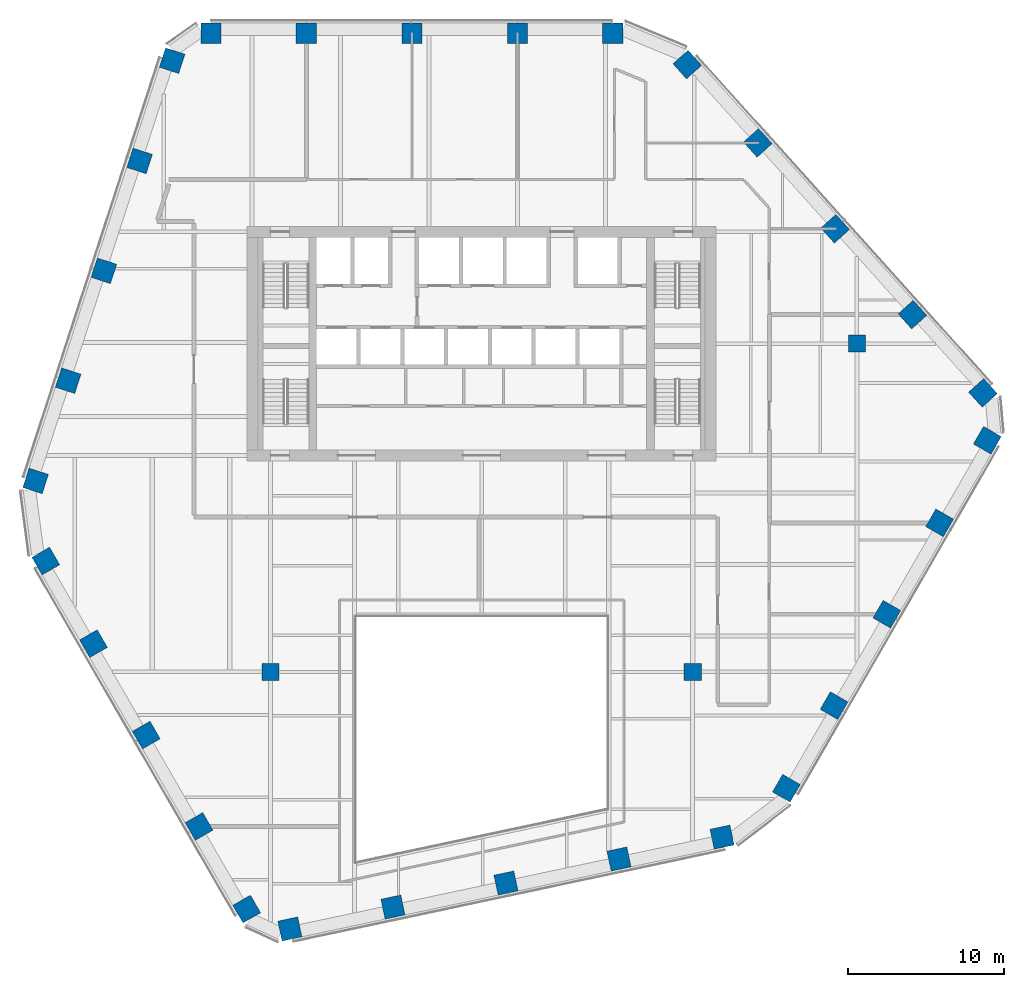
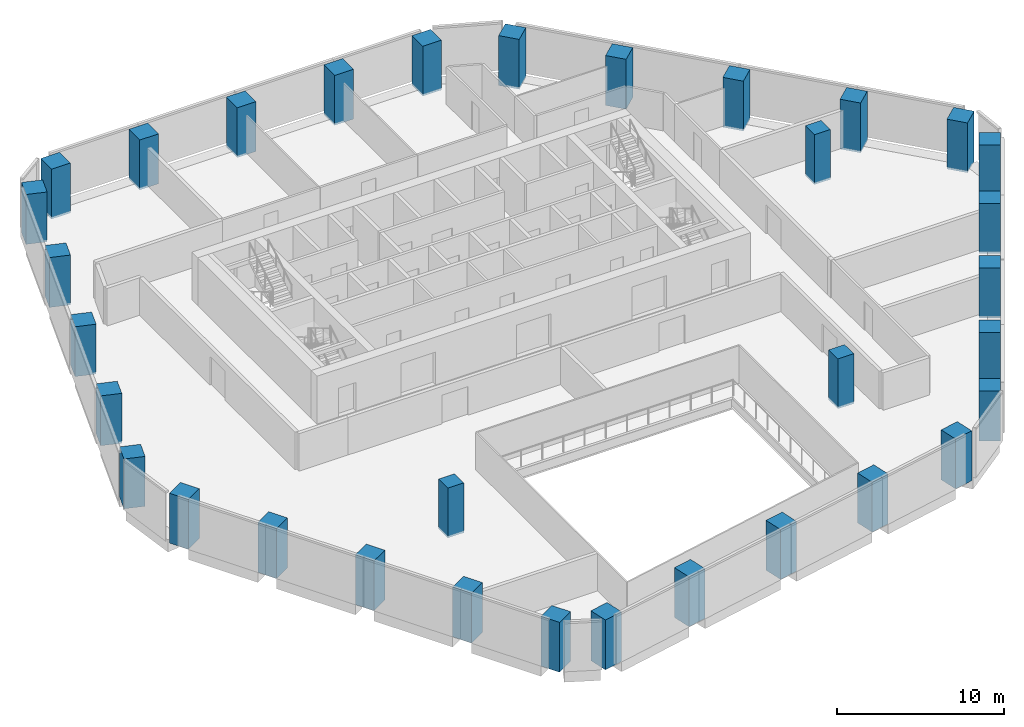
# One storey, part 1 of 16: 33 columns.
"""IFC4 building model written with IfcOpenShell, lengths in metres."""

import ifcopenshell
import ifcopenshell.guid

model = None  # the IFC model being written
_history = None  # IfcOwnerHistory: only IFC2X3 demands one
_inside = {}  # id of a spatial element -> (the spatial element, [elements in it])
_under = {}  # id of a project, library or spatial element -> (it, [spatial elements below it])
_declared = {}  # id of a project -> (the project, [libraries it declares])
_typed = {}  # id of a type object -> (the type object, [elements of that type])
_made_of = {}  # id of a material, layer set ... -> (it, [elements and type objects made of it])


def new_model(schema):
    """Start an empty IFC model of exactly this schema.

    Asked for "IFC4X3", IfcOpenShell would pick the latest addendum, in which some entities
    have other attributes; the version numbers below select the first issue.
    IFC2X3 requires an IfcOwnerHistory on every rooted entity: one is made here for all.
    """
    global model, _history
    if schema == "IFC4X3":
        model = ifcopenshell.file(schema_version=(4, 3, 0, 0))
    else:
        model = ifcopenshell.file(schema=schema)
    _inside.clear()
    _under.clear()
    _declared.clear()
    _typed.clear()
    _made_of.clear()
    _history = None
    if model.schema == "IFC2X3":
        org = make("IfcOrganization", Name="unknown")
        user = make(
            "IfcPersonAndOrganization",
            ThePerson=make("IfcPerson", FamilyName="unknown"),
            TheOrganization=org,
        )
        app = make(
            "IfcApplication",
            ApplicationDeveloper=org,
            Version="unknown",
            ApplicationFullName="unknown",
            ApplicationIdentifier="unknown",
        )
        _history = make(
            "IfcOwnerHistory",
            OwningUser=user,
            OwningApplication=app,
            ChangeAction="ADDED",
            CreationDate=0,
        )
    return model


def make(cls, **values):
    """One entity of the class cls with the attributes given. An attribute that is None is left unset."""
    return model.create_entity(
        cls, **{name: value for name, value in values.items() if value is not None}
    )


def rooted(cls, **values):
    """An entity with a GlobalId (a new one), such as an element, a storey or a relation."""
    return make(cls, GlobalId=ifcopenshell.guid.new(), OwnerHistory=_history, **values)


def si_unit(unit_type, name, prefix=None):
    """IfcSIUnit, for example si_unit("LENGTHUNIT", "METRE", prefix="MILLI")."""
    return make("IfcSIUnit", UnitType=unit_type, Prefix=prefix, Name=name)


def assignment(units):
    """IfcUnitAssignment: the units of a project."""
    return None if units is None else make("IfcUnitAssignment", Units=units)


def point(xyz):
    """IfcCartesianPoint."""
    return None if xyz is None else make("IfcCartesianPoint", Coordinates=xyz)


def direction(xyz):
    """IfcDirection."""
    return None if xyz is None else make("IfcDirection", DirectionRatios=xyz)


def frame(location, z_axis=None, x_axis=None):
    """IfcAxis2Placement3D, a coordinate frame: its origin and axes. An axis left out is left unset."""
    return make(
        "IfcAxis2Placement3D",
        Location=point(location),
        Axis=direction(z_axis),
        RefDirection=direction(x_axis),
    )


def frame_2d(location, x_axis=None):
    """IfcAxis2Placement2D, a coordinate frame in the plane: its origin and x axis."""
    return make(
        "IfcAxis2Placement2D", Location=point(location), RefDirection=direction(x_axis)
    )


def origin():
    """The frame at (0, 0, 0) with its axes left unset."""
    return frame((0.0, 0.0, 0.0))


def origin_2d():
    """The frame at (0, 0) in the plane with its x axis left unset."""
    return frame_2d((0.0, 0.0))


def place(relative_to, where):
    """IfcLocalPlacement: puts the frame where relative to a parent placement (None: the world)."""
    return make(
        "IfcLocalPlacement", PlacementRelTo=relative_to, RelativePlacement=where
    )


def context(
    kind, dimensions, precision=None, world=None, true_north=None, identifier=None
):
    """IfcGeometricRepresentationContext, for example the 3D "Model" context."""
    return make(
        "IfcGeometricRepresentationContext",
        ContextIdentifier=identifier,
        ContextType=kind,
        CoordinateSpaceDimension=dimensions,
        Precision=precision,
        WorldCoordinateSystem=world,
        TrueNorth=true_north,
    )


def subcontext(parent, identifier, kind, view, scale=None):
    """IfcGeometricRepresentationSubContext, for example "Body" below "Model"."""
    return make(
        "IfcGeometricRepresentationSubContext",
        ContextIdentifier=identifier,
        ContextType=kind,
        ParentContext=parent,
        TargetScale=scale,
        TargetView=view,
    )


def project(units=None, contexts=None):
    """IfcProject with its units and contexts."""
    return rooted(
        "IfcProject",
        Name="project",
        RepresentationContexts=contexts,
        UnitsInContext=assignment(units),
    )


def spatial(cls, under=None, at=None, **own):
    """A site, building, storey or space (cls), placed at a placement, below another one or the project."""
    s = rooted(cls, ObjectPlacement=at, **own)
    if under is not None:
        _under.setdefault(under.id(), (under, []))[1].append(s)
    return s


def profile(cls, at=None, kind="AREA", **sizes):
    """A parametric profile (cls). Its sizes go by their IFC names, for example OverallWidth=200.0."""
    return make(cls, ProfileType=kind, Position=at, **sizes)


def rectangle(**sizes):
    """IfcRectangleProfileDef."""
    return profile("IfcRectangleProfileDef", **sizes)


def extrude(swept, where, along, depth):
    """IfcExtrudedAreaSolid: the profile swept, set in the frame where, extruded along a direction by depth."""
    return make(
        "IfcExtrudedAreaSolid",
        SweptArea=swept,
        Position=where,
        ExtrudedDirection=direction(along),
        Depth=depth,
    )


def shape(context_of_items, identifier, shape_type, items):
    """IfcShapeRepresentation: the items that make up one representation, for example the "Body"."""
    return make(
        "IfcShapeRepresentation",
        ContextOfItems=context_of_items,
        RepresentationIdentifier=identifier,
        RepresentationType=shape_type,
        Items=items,
    )


def material(Name=None, Category=None):
    """IfcMaterial."""
    return make("IfcMaterial", Name=Name, Category=Category)


def material_profile(
    of_material, cross_section, Name=None, Category=None, Priority=None
):
    """IfcMaterialProfile: a cross section and its material."""
    return make(
        "IfcMaterialProfile",
        Name=Name,
        Material=of_material,
        Profile=cross_section,
        Priority=Priority,
        Category=Category,
    )


def profile_set(profiles, Name=None, composite=None):
    """IfcMaterialProfileSet."""
    return make(
        "IfcMaterialProfileSet",
        Name=Name,
        MaterialProfiles=profiles,
        CompositeProfile=composite,
    )


def made_of(thing, what):
    """Note that an element or type object is made of a material, layer set ...; save() writes the relation."""
    if what is not None:
        _made_of.setdefault(what.id(), (what, []))[1].append(thing)
    return thing


def type_object(cls, material=None, **own):
    """A type object (cls), such as IfcWallType, which elements share."""
    return made_of(rooted(cls, **own), material)


def element(
    cls,
    number,
    at=None,
    inside=None,
    cuts=None,
    type_object=None,
    material=None,
    context=None,
    identifier="Body",
    shape_type=None,
    held_by="IfcProductDefinitionShape",
    body=None,
    shapes=None,
    **own,
):
    """One element of the class cls, such as IfcWall. Its Tag is "e" and its number.

    at: its placement. inside: the storey or other place that contains it. cuts: it is an
    opening in that element (IfcRelVoidsElement). A single representation is given by context,
    identifier, shape_type and body (its items); several are given by shapes. held_by: the class
    of the entity that holds the representations. save() writes the other relations.
    """
    e = rooted(cls, Tag="e%d" % number, ObjectPlacement=at, **own)
    if body is not None:
        shapes = [shape(context, identifier, shape_type, body)]
    if shapes is not None:
        e.Representation = make(held_by, Representations=shapes)
    if inside is not None:
        _inside.setdefault(inside.id(), (inside, []))[1].append(e)
    if cuts is not None:
        rooted(
            "IfcRelVoidsElement", RelatingBuildingElement=cuts, RelatedOpeningElement=e
        )
    if type_object is not None:
        _typed.setdefault(type_object.id(), (type_object, []))[1].append(e)
    return made_of(e, material)


def aggregate(whole, parts):
    """IfcRelAggregates: a whole, such as a stair, and the parts it consists of."""
    return rooted("IfcRelAggregates", RelatingObject=whole, RelatedObjects=parts)


def save(model, path):
    """Write the relations noted so far, then the file.

    IfcRelAggregates (storeys below a building ...), IfcRelContainedInSpatialStructure (elements
    in a storey), IfcRelDefinesByType, IfcRelAssociatesMaterial and IfcRelDeclares: one each for
    every whole, place, type object, material and project.
    """
    for whole, parts in _under.values():
        aggregate(whole, parts)
    for where, things in _inside.values():
        rooted(
            "IfcRelContainedInSpatialStructure",
            RelatedElements=things,
            RelatingStructure=where,
        )
    for kind, things in _typed.values():
        rooted("IfcRelDefinesByType", RelatedObjects=things, RelatingType=kind)
    for what, things in _made_of.values():
        rooted("IfcRelAssociatesMaterial", RelatedObjects=things, RelatingMaterial=what)
    for by, libraries in _declared.values():
        rooted("IfcRelDeclares", RelatingContext=by, RelatedDefinitions=libraries)
    model.write(path)


model = new_model("IFC4")

# Units and contexts
model_context = context("Model", 3, precision=1e-05, world=origin(), true_north=direction((0.0, 1.0)))
body_context = subcontext(model_context, "Body", "Model", "MODEL_VIEW")
ifc_project = project(units=[si_unit("LENGTHUNIT", "METRE"), si_unit("AREAUNIT", "SQUARE_METRE"), si_unit("VOLUMEUNIT", "CUBIC_METRE"), si_unit("PLANEANGLEUNIT", "RADIAN"), si_unit("MASSUNIT", "GRAM", prefix="KILO")], contexts=[model_context])

# Site, building, storey
site_placement = place(None, origin())
site = spatial("IfcSite", under=ifc_project, at=site_placement, CompositionType="ELEMENT")
building_placement = place(site_placement, origin())
building = spatial("IfcBuilding", under=site, at=building_placement, Name="Isthmus Gate Tower", CompositionType="ELEMENT")
storey_placement = place(building_placement, frame((0.0, 0.0, 192.699951171875)))
storey = spatial("IfcBuildingStorey", under=building, at=storey_placement, Name="L48", CompositionType="ELEMENT", Elevation=192.699951171875)

# Columns
ifc_material_1 = material(Name="Concrete f'c 60 MPa", Category="concrete")
ifc_material_profile_1 = material_profile(ifc_material_1, rectangle(XDim=1.10009765625, YDim=1.10009765625, at=origin_2d()), Name="RC 1100X1100")
ifc_profile_set_1 = profile_set([ifc_material_profile_1], Name="Concrete f'c 60 MPa")
column_type_1 = type_object("IfcColumnType", Name="RC INTERIOR COLUMN 1100 X 1100", PredefinedType="COLUMN", material=ifc_profile_set_1)
for number, where, z_axis, x_axis, name in (
    (1, (-13.5, -13.5, -0.14990234375), (0.0, 0.0, 1.0), (1.0, 0.0, 0.0), "str-icol-L48-ICB2"),
    (2, (13.5, -13.5, -0.14990234375), (0.0, 0.0, 1.0), (1.0, 0.0, 0.0), "str-icol-L48-ICD2"),
    (3, (24.0, 7.5, -0.14990234375), (0.0, 0.0, 1.0), (1.0, 0.0, 0.0), "str-icol-L48-ICE3"),
):
    element("IfcColumn", number, at=place(storey_placement, frame(where, z_axis=z_axis, x_axis=x_axis)), inside=storey, type_object=column_type_1, Name=name, PredefinedType="COLUMN", context=body_context, shape_type="SweptSolid", body=[
        extrude(rectangle(XDim=1.10009765625, YDim=1.10009765625, at=origin_2d()), origin(), (0.0, 0.0, 1.0), 3.64990234375),
    ])
ifc_material_2 = material(Name="Concrete f'c 60 MPa", Category="concrete")
ifc_material_profile_2 = material_profile(ifc_material_2, rectangle(XDim=1.300048828125, YDim=1.300048828125, at=origin_2d()), Name="RC 1300X1300")
ifc_profile_set_2 = profile_set([ifc_material_profile_2], Name="Concrete f'c 60 MPa")
column_type_2 = type_object("IfcColumnType", Name="RC TUBE COLUMN 1300 X 1300", PredefinedType="COLUMN", material=ifc_profile_set_2)
for number, where, z_axis, x_axis, name in (
    (4, (8.388671875, 27.35009765625, -0.14990234375), (0.0, 0.0, 1.0), (-1.0, 0.0, 0.0), "str-tcol-L48-T2N0"),
    (5, (2.288330078125, 27.35009765625, -0.14990234375), (0.0, 0.0, 1.0), (-1.0, 0.0, 0.0), "str-tcol-L48-T2N1"),
    (6, (-4.461669921875, 27.35009765625, -0.14990234375), (0.0, 0.0, 1.0), (-1.0, 0.0, 0.0), "str-tcol-L48-T2N2"),
    (7, (-11.2119140625, 27.35009765625, -0.14990234375), (0.0, 0.0, 1.0), (-1.0, 0.0, 0.0), "str-tcol-L48-T2N3"),
    (8, (-17.31201171875, 27.35009765625, -0.14990234375), (0.0, 0.0, 1.0), (-1.0, 0.0, 0.0), "str-tcol-L48-T2N4"),
    (9, (-19.797607421875, 25.595947265625, -0.14990234375), (0.0, 0.0, 1.0), (-0.309016994375, -0.951056516295, 0.0), "str-tcol-L48-T2NW0"),
    (10, (-21.880615234375, 19.18505859375, -0.14990234375), (0.0, 0.0, 1.0), (-0.309016994375, -0.951056516295, 0.0), "str-tcol-L48-T2NW1"),
    (11, (-24.164306640625, 12.156005859375, -0.14990234375), (0.0, 0.0, 1.0), (-0.309016994375, -0.951056516295, 0.0), "str-tcol-L48-T2NW2"),
    (12, (-26.4482421875, 5.126953125, -0.14990234375), (0.0, 0.0, 1.0), (-0.309016994375, -0.951056516295, 0.0), "str-tcol-L48-T2NW3"),
    (13, (-28.53125, -1.283935546875, -0.14990234375), (0.0, 0.0, 1.0), (-0.309016994375, -0.951056516295, 0.0), "str-tcol-L48-T2NW4"),
    (14, (-27.880126953125, -6.410400390625, -0.14990234375), (0.0, 0.0, 1.0), (0.5, -0.866025403784, 0.0), "str-tcol-L48-T2SW0"),
    (15, (-24.830078125, -11.693115234375, -0.14990234375), (0.0, 0.0, 1.0), (0.5, -0.866025403784, 0.0), "str-tcol-L48-T2SW1"),
    (16, (-21.454833984375, -17.5390625, -0.14990234375), (0.0, 0.0, 1.0), (0.5, -0.866025403784, 0.0), "str-tcol-L48-T2SW2"),
    (17, (-18.079833984375, -23.384765625, -0.14990234375), (0.0, 0.0, 1.0), (0.5, -0.866025403784, 0.0), "str-tcol-L48-T2SW3"),
    (18, (-15.02978515625, -28.667724609375, -0.14990234375), (0.0, 0.0, 1.0), (0.5, -0.866025403784, 0.0), "str-tcol-L48-T2SW4"),
    (19, (-12.267822265625, -29.943115234375, -0.14990234375), (0.0, 0.0, 1.0), (0.978147600734, 0.207911690818, 0.0), "str-tcol-L48-T2S0"),
    (20, (-5.674560546875, -28.54150390625, -0.14990234375), (0.0, 0.0, 1.0), (0.978147600734, 0.207911690818, 0.0), "str-tcol-L48-T2S1"),
    (21, (1.554931640625, -27.0048828125, -0.14990234375), (0.0, 0.0, 1.0), (0.978147600734, 0.207911690818, 0.0), "str-tcol-L48-T2S2"),
    (22, (8.7841796875, -25.46826171875, -0.14990234375), (0.0, 0.0, 1.0), (0.978147600734, 0.207911690818, 0.0), "str-tcol-L48-T2S3"),
    (23, (15.377685546875, -24.06689453125, -0.14990234375), (0.0, 0.0, 1.0), (0.978147600734, 0.207911690818, 0.0), "str-tcol-L48-T2S4"),
    (24, (19.491455078125, -20.939697265625, -0.14990234375), (0.0, 0.0, 1.0), (0.5, 0.866025403784, 0.0), "str-tcol-L48-T2SE0"),
    (25, (22.54150390625, -15.65673828125, -0.14990234375), (0.0, 0.0, 1.0), (0.5, 0.866025403784, 0.0), "str-tcol-L48-T2SE1"),
    (26, (25.916748046875, -9.81103515625, -0.14990234375), (0.0, 0.0, 1.0), (0.5, 0.866025403784, 0.0), "str-tcol-L48-T2SE2"),
    (27, (29.291748046875, -3.96533203125, -0.14990234375), (0.0, 0.0, 1.0), (0.5, 0.866025403784, 0.0), "str-tcol-L48-T2SE3"),
    (28, (32.341796875, 1.317626953125, -0.14990234375), (0.0, 0.0, 1.0), (0.5, 0.866025403784, 0.0), "str-tcol-L48-T2SE4"),
    (29, (32.0654296875, 4.34716796875, -0.14990234375), (0.0, 0.0, 1.0), (-0.669130606359, 0.743144825477, 0.0), "str-tcol-L48-T2NE0"),
    (30, (27.554931640625, 9.356689453125, -0.14990234375), (0.0, 0.0, 1.0), (-0.669130606359, 0.743144825477, 0.0), "str-tcol-L48-T2NE1"),
    (31, (22.609619140625, 14.84912109375, -0.14990234375), (0.0, 0.0, 1.0), (-0.669130606359, 0.743144825477, 0.0), "str-tcol-L48-T2NE2"),
    (32, (17.6640625, 20.341552734375, -0.14990234375), (0.0, 0.0, 1.0), (-0.669130606359, 0.743144825477, 0.0), "str-tcol-L48-T2NE3"),
    (33, (13.15380859375, 25.350830078125, -0.14990234375), (0.0, 0.0, 1.0), (-0.669130606359, 0.743144825477, 0.0), "str-tcol-L48-T2NE4"),
):
    element("IfcColumn", number, at=place(storey_placement, frame(where, z_axis=z_axis, x_axis=x_axis)), inside=storey, type_object=column_type_2, Name=name, PredefinedType="COLUMN", context=body_context, shape_type="SweptSolid", body=[
        extrude(rectangle(XDim=1.300048828125, YDim=1.300048828125, at=origin_2d()), origin(), (0.0, 0.0, 1.0), 3.64990234375),
    ])

save(model, "model.ifc")
